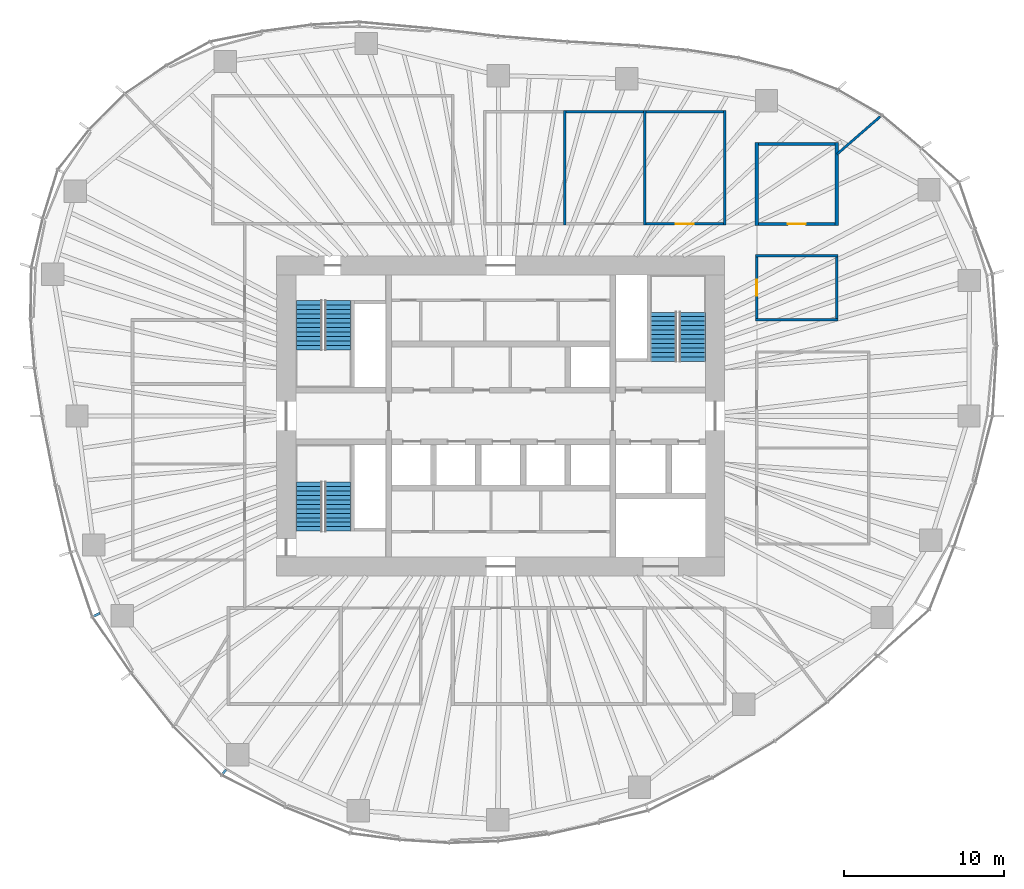
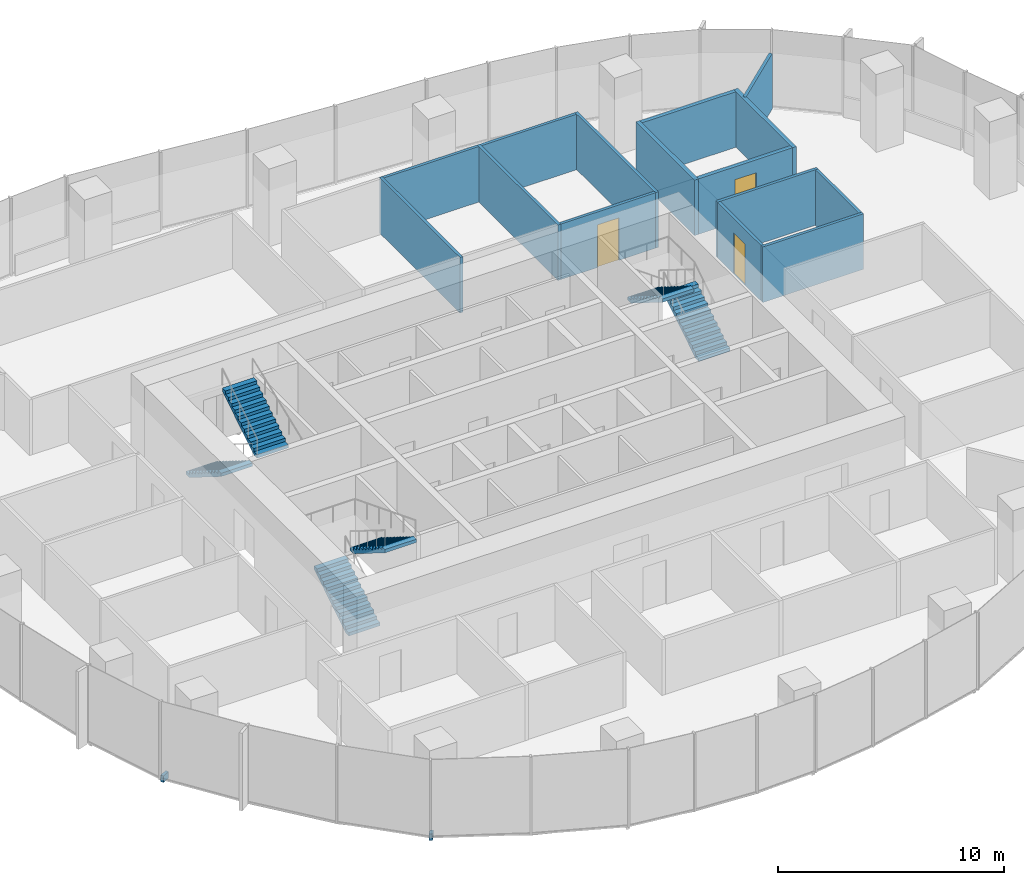
# One storey, part 11 of 18: 15 walls, 6 stair flights, 3 doors, 2 discrete accessories, 3 openings, 3 elements without a shape of their own.
"""IFC4 building model written with IfcOpenShell, lengths in metres."""

from ifc_helpers import new_model, si_unit, direction, frame, frame_2d, origin, origin_2d, place, context, subcontext, project, spatial, polyline, rectangle, outline, extrude, material, layer, layer_set, type_object, element, fill, aggregate, save


model = new_model("IFC4")

# Units and contexts
model_context = context("Model", 3, precision=1e-05, world=origin(), true_north=direction((0.0, 1.0)))
body_context = subcontext(model_context, "Body", "Model", "MODEL_VIEW")
ifc_project = project(units=[si_unit("LENGTHUNIT", "METRE"), si_unit("AREAUNIT", "SQUARE_METRE"), si_unit("VOLUMEUNIT", "CUBIC_METRE"), si_unit("PLANEANGLEUNIT", "RADIAN"), si_unit("MASSUNIT", "GRAM", prefix="KILO")], contexts=[model_context])

# Site, building, storey
site_placement = place(None, origin())
site = spatial("IfcSite", under=ifc_project, at=site_placement, CompositionType="ELEMENT")
building_placement = place(site_placement, origin())
building = spatial("IfcBuilding", under=site, at=building_placement, Name="Ghaith Harvest Tower", CompositionType="ELEMENT")
storey_placement = place(building_placement, frame((0.0, 0.0, 151.199951171875)))
storey = spatial("IfcBuildingStorey", under=building, at=storey_placement, Name="L32", CompositionType="ELEMENT", Elevation=151.199951171875)

# Walls
ifc_material_1 = material(Name="Twin-stud gypsum board, acoustic", Category="gypsum")
ifc_layer_1 = layer(ifc_material_1, 0.199951171875)
ifc_layer_set_1 = layer_set([ifc_layer_1], Name="ACOUSTIC PARTITION 200")
wall_type_1 = type_object("IfcWallType", Name="ACOUSTIC PARTITION 200", PredefinedType="PARTITIONING", material=ifc_layer_set_1)
for number, where, z_axis, x_axis, name in (
    (1, (16.0, 11.89990234375, 0.0), (0.0, 0.0, 1.0), (0.0, 1.0, 0.0), "Partition L32 row N7 cross wall 1"),
    (2, (21.0, 11.89990234375, 0.0), (0.0, 0.0, 1.0), (0.0, 1.0, 0.0), "Partition L32 row N7 cross wall 2"),
):
    element("IfcWall", number, at=place(storey_placement, frame(where, z_axis=z_axis, x_axis=x_axis)), inside=storey, type_object=wall_type_1, Name=name, PredefinedType="PARTITIONING", context=body_context, shape_type="SweptSolid", body=[
        extrude(rectangle(XDim=5.2001953125, YDim=0.199951171875, at=frame_2d((2.60009765625, 0.0))), origin(), (0.0, 0.0, 1.0), 3.0),
    ])

# Wall, opening, door
wall_1_placement = place(storey_placement, frame((16.10009765625, 12.0, 0.0), z_axis=(0.0, 0.0, 1.0), x_axis=(1.0, 0.0, 0.0)))
wall_1 = element("IfcWall", 3, at=wall_1_placement, inside=storey, type_object=wall_type_1, Name="Partition L32-15", PredefinedType="PARTITIONING", context=body_context, shape_type="SweptSolid", body=[
    extrude(rectangle(XDim=4.7998046875, YDim=0.199951171875, at=frame_2d((2.39990234375, 0.0))), origin(), (0.0, 0.0, 1.0), 3.0),
])
opening_1_placement = place(wall_1_placement, frame((1.85009765625, 0.0, 0.0)))
opening_1 = element("IfcOpeningElement", 4, at=opening_1_placement, cuts=wall_1, Name="Opening 32-042", PredefinedType="OPENING", context=body_context, shape_type="SweptSolid", body=[
    extrude(rectangle(XDim=1.10009765625, YDim=2.300048828125, at=frame_2d((0.550048828125, 1.14990234375))), frame((0.0, 0.10986328125, 0.0), z_axis=(0.0, -1.0, 0.0), x_axis=(1.0, 0.0, 0.0)), (0.0, 0.0, 1.0), 0.219970703125),
])
ifc_material_2 = material(Name="Timber-framed glazed door", Category="wood")
door_type_1 = type_object("IfcDoorType", Name="D12 GLAZED OFFICE 1100x2300", OperationType="SINGLE_SWING_LEFT", PredefinedType="DOOR", material=ifc_material_2)
door_1_placement = place(opening_1_placement, origin())
door_1 = element("IfcDoor", 5, at=door_1_placement, inside=storey, type_object=door_type_1, Name="Focus room door", OperationType="SINGLE_SWING_LEFT", OverallHeight=2.300048828125, OverallWidth=1.10009765625, PredefinedType="DOOR", context=body_context, shape_type="SweptSolid", body=[
    extrude(rectangle(XDim=1.10009765625, YDim=2.300048828125, at=frame_2d((0.550048828125, 1.14990234375))), frame((0.0, 0.02490234375, 0.0), z_axis=(0.0, -1.0, 0.0), x_axis=(1.0, 0.0, 0.0)), (0.0, 0.0, 1.0), 0.050048828125),
])
fill(opening_1, door_1)

# Walls
wall_2_placement = place(storey_placement, frame((16.10009765625, 17.0, 0.0), z_axis=(0.0, 0.0, 1.0), x_axis=(1.0, 0.0, 0.0)))
element("IfcWall", 6, at=wall_2_placement, inside=storey, type_object=wall_type_1, Name="Partition L32-15", PredefinedType="PARTITIONING", context=body_context, shape_type="SweptSolid", body=[
    extrude(rectangle(XDim=4.7998046875, YDim=0.199951171875, at=frame_2d((2.39990234375, 0.0))), origin(), (0.0, 0.0, 1.0), 3.0),
])
ifc_material_3 = material(Name="Gypsum board on steel studs", Category="steel")
ifc_layer_2 = layer(ifc_material_3, 0.14990234375)
ifc_layer_set_2 = layer_set([ifc_layer_2], Name="PARTITION 150")
wall_type_2 = type_object("IfcWallType", Name="PARTITION 150", PredefinedType="PARTITIONING", material=ifc_layer_set_2)
for number, where, z_axis, x_axis, name in (
    (7, (4.0, 11.925048828125, 0.0), (0.0, 0.0, 1.0), (0.0, 1.0, 0.0), "Partition L32 row N2 cross wall 2"),
    (8, (9.0, 11.925048828125, 0.0), (0.0, 0.0, 1.0), (0.0, 1.0, 0.0), "Partition L32 row N2 cross wall 3"),
    (9, (14.0, 11.925048828125, 0.0), (0.0, 0.0, 1.0), (0.0, 1.0, 0.0), "Partition L32 row N2 cross wall 4"),
):
    element("IfcWall", number, at=place(storey_placement, frame(where, z_axis=z_axis, x_axis=x_axis)), inside=storey, type_object=wall_type_2, Name=name, PredefinedType="PARTITIONING", context=body_context, shape_type="SweptSolid", body=[
        extrude(rectangle(XDim=7.14990234375, YDim=0.14990234375, at=frame_2d((3.574951171875, 0.0))), origin(), (0.0, 0.0, 1.0), 3.0),
    ])
wall_3_placement = place(storey_placement, frame((4.074951171875, 19.0, 0.0), z_axis=(0.0, 0.0, 1.0), x_axis=(1.0, 0.0, 0.0)))
element("IfcWall", 10, at=wall_3_placement, inside=storey, type_object=wall_type_2, Name="Partition L32-03", PredefinedType="PARTITIONING", context=body_context, shape_type="SweptSolid", body=[
    extrude(rectangle(XDim=4.85009765625, YDim=0.14990234375, at=frame_2d((2.425048828125, 0.0))), origin(), (0.0, 0.0, 1.0), 3.0),
])

# Wall, opening, door
wall_4_placement = place(storey_placement, frame((9.074951171875, 12.0, 0.0), z_axis=(0.0, 0.0, 1.0), x_axis=(1.0, 0.0, 0.0)))
wall_4 = element("IfcWall", 11, at=wall_4_placement, inside=storey, type_object=wall_type_2, Name="Partition L32-04", PredefinedType="PARTITIONING", context=body_context, shape_type="SweptSolid", body=[
    extrude(rectangle(XDim=4.85009765625, YDim=0.14990234375, at=frame_2d((2.425048828125, 0.0))), origin(), (0.0, 0.0, 1.0), 3.0),
])
opening_2_placement = place(wall_4_placement, frame((1.875, 0.0, 0.0)))
opening_2 = element("IfcOpeningElement", 12, at=opening_2_placement, cuts=wall_4, Name="Opening 32-031", PredefinedType="OPENING", context=body_context, shape_type="SweptSolid", body=[
    extrude(rectangle(XDim=1.10009765625, YDim=2.300048828125, at=frame_2d((0.550048828125, 1.14990234375))), frame((0.0, 0.0849609375, 0.0), z_axis=(0.0, -1.0, 0.0), x_axis=(1.0, 0.0, 0.0)), (0.0, 0.0, 1.0), 0.169921875),
])
door_2_placement = place(opening_2_placement, origin())
door_2 = element("IfcDoor", 13, at=door_2_placement, inside=storey, type_object=door_type_1, Name="Office door", OperationType="SINGLE_SWING_LEFT", OverallHeight=2.300048828125, OverallWidth=1.10009765625, PredefinedType="DOOR", context=body_context, shape_type="SweptSolid", body=[
    extrude(rectangle(XDim=1.10009765625, YDim=2.300048828125, at=frame_2d((0.550048828125, 1.14990234375))), frame((0.0, 0.02490234375, 0.0), z_axis=(0.0, -1.0, 0.0), x_axis=(1.0, 0.0, 0.0)), (0.0, 0.0, 1.0), 0.050048828125),
])
fill(opening_2, door_2)

# Walls
wall_5_placement = place(storey_placement, frame((9.074951171875, 19.0, 0.0), z_axis=(0.0, 0.0, 1.0), x_axis=(1.0, 0.0, 0.0)))
element("IfcWall", 14, at=wall_5_placement, inside=storey, type_object=wall_type_2, Name="Partition L32-04", PredefinedType="PARTITIONING", context=body_context, shape_type="SweptSolid", body=[
    extrude(rectangle(XDim=4.85009765625, YDim=0.14990234375, at=frame_2d((2.425048828125, 0.0))), origin(), (0.0, 0.0, 1.0), 3.0),
])
for number, where, z_axis, x_axis, name in (
    (15, (15.925048828125, 6.0, 0.0), (0.0, 0.0, 1.0), (1.0, 0.0, 0.0), "Partition L32 row E8 cross wall 1"),
    (16, (15.925048828125, 10.0, 0.0), (0.0, 0.0, 1.0), (1.0, 0.0, 0.0), "Partition L32 row E8 cross wall 2"),
):
    element("IfcWall", number, at=place(storey_placement, frame(where, z_axis=z_axis, x_axis=x_axis)), inside=storey, type_object=wall_type_2, Name=name, PredefinedType="PARTITIONING", context=body_context, shape_type="SweptSolid", body=[
        extrude(rectangle(XDim=5.14990234375, YDim=0.14990234375, at=frame_2d((2.574951171875, 0.0))), origin(), (0.0, 0.0, 1.0), 3.0),
    ])

# Wall, opening, door
wall_6_placement = place(storey_placement, frame((16.0, 6.074951171875, 0.0), z_axis=(0.0, 0.0, 1.0), x_axis=(0.0, 1.0, 0.0)))
wall_6 = element("IfcWall", 17, at=wall_6_placement, inside=storey, type_object=wall_type_2, Name="Partition L32-16", PredefinedType="PARTITIONING", context=body_context, shape_type="SweptSolid", body=[
    extrude(rectangle(XDim=3.85009765625, YDim=0.14990234375, at=frame_2d((1.925048828125, 0.0))), origin(), (0.0, 0.0, 1.0), 3.0),
])
opening_3_placement = place(wall_6_placement, frame((1.425048828125, 0.0, 0.0)))
opening_3 = element("IfcOpeningElement", 18, at=opening_3_placement, cuts=wall_6, Name="Opening 32-043", PredefinedType="OPENING", context=body_context, shape_type="SweptSolid", body=[
    extrude(rectangle(XDim=1.0, YDim=2.199951171875, at=frame_2d((0.5, 1.10009765625))), frame((0.0, 0.0849609375, 0.0), z_axis=(0.0, -1.0, 0.0), x_axis=(1.0, 0.0, 0.0)), (0.0, 0.0, 1.0), 0.169921875),
])
ifc_material_4 = material(Name="Timber door", Category="wood")
door_type_2 = type_object("IfcDoorType", Name="D1 SINGLE 1000x2200", OperationType="SINGLE_SWING_LEFT", PredefinedType="DOOR", material=ifc_material_4)
door_3_placement = place(opening_3_placement, origin())
door_3 = element("IfcDoor", 19, at=door_3_placement, inside=storey, type_object=door_type_2, Name="Store door", OperationType="SINGLE_SWING_LEFT", OverallHeight=2.199951171875, OverallWidth=1.0, PredefinedType="DOOR", context=body_context, shape_type="SweptSolid", body=[
    extrude(rectangle(XDim=1.0, YDim=2.199951171875, at=frame_2d((0.5, 1.10009765625))), frame((0.0, 0.02490234375, 0.0), z_axis=(0.0, -1.0, 0.0), x_axis=(1.0, 0.0, 0.0)), (0.0, 0.0, 1.0), 0.050048828125),
])
fill(opening_3, door_3)

# Walls
wall_7_placement = place(storey_placement, frame((21.0, 6.074951171875, 0.0), z_axis=(0.0, 0.0, 1.0), x_axis=(0.0, 1.0, 0.0)))
element("IfcWall", 20, at=wall_7_placement, inside=storey, type_object=wall_type_2, Name="Partition L32-16", PredefinedType="PARTITIONING", context=body_context, shape_type="SweptSolid", body=[
    extrude(rectangle(XDim=3.85009765625, YDim=0.14990234375, at=frame_2d((1.925048828125, 0.0))), origin(), (0.0, 0.0, 1.0), 3.0),
])
wall_8_placement = place(storey_placement, frame((21.02001953125, 16.364013671875, 0.0), z_axis=(0.0, 0.0, 1.0), x_axis=(0.75467183248, 0.656102450278, 0.0)))
element("IfcWall", 21, at=wall_8_placement, inside=storey, type_object=wall_type_2, Name="Partition L32 zone division", PredefinedType="PARTITIONING", context=body_context, shape_type="SweptSolid", body=[
    extrude(rectangle(XDim=3.566650390625, YDim=0.14990234375, at=frame_2d((1.783203125, 0.0))), origin(), (0.0, 0.0, 1.0), 3.0),
])

# Stair, stair flights
ifc_material_5 = material(Name="Concrete C40/50, precast", Category="concrete")
stair_type = type_object("IfcStairType", Name="CORE STAIR 24R", PredefinedType="HALF_TURN_STAIR", material=ifc_material_5)
stair_1_placement = place(storey_placement, origin())
stair_1 = element("IfcStair", 22, at=stair_1_placement, inside=storey, type_object=stair_type, Name="Stair ST1 L32", PredefinedType="HALF_TURN_STAIR")
ifc_material_6 = material(Name="Concrete C40/50, precast", Category="concrete")
stair_flight_type = type_object("IfcStairFlightType", Name="CORE FLIGHT 12R 1600", PredefinedType="STRAIGHT", material=ifc_material_6)
stair_flight_1_placement = place(storey_placement, frame((-12.0, 7.199951171875, 0.0), z_axis=(0.0, 0.0, 1.0), x_axis=(0.0, -1.0, 0.0)))
stair_flight_1 = element("IfcStairFlight", 23, at=stair_flight_1_placement, type_object=stair_flight_type, Name="ST1 flight 1", NumberOfRisers=12, NumberOfTreads=11, PredefinedType="STRAIGHT", RiserHeight=0.175, TreadLength=0.28, context=body_context, shape_type="SweptSolid", body=[
    extrude(outline(polyline([(0.0, 0.0), (0.0, 0.175048828125), (0.280029296875, 0.175048828125), (0.280029296875, 0.35009765625), (0.56005859375, 0.35009765625), (0.56005859375, 0.52490234375), (0.840087890625, 0.52490234375), (0.840087890625, 0.699951171875), (1.1201171875, 0.699951171875), (1.1201171875, 0.875), (1.39990234375, 0.875), (1.39990234375, 1.050048828125), (1.679931640625, 1.050048828125), (1.679931640625, 1.22509765625), (1.9599609375, 1.22509765625), (1.9599609375, 1.39990234375), (2.239990234375, 1.39990234375), (2.239990234375, 1.574951171875), (2.52001953125, 1.574951171875), (2.52001953125, 1.75), (2.800048828125, 1.75), (2.800048828125, 1.925048828125), (3.080078125, 1.925048828125), (3.080078125, 2.10009765625), (3.080078125, 1.748291015625), (0.28271484375, 0.0), (0.0, 0.0)])), frame((0.0, 0.800048828125, 0.0), z_axis=(0.0, -1.0, 0.0), x_axis=(1.0, 0.0, 0.0)), (0.0, 0.0, 1.0), 1.60009765625),
])
stair_flight_2_placement = place(storey_placement, frame((-10.14990234375, 4.1201171875, 2.10009765625), z_axis=(0.0, 0.0, 1.0), x_axis=(0.0, 1.0, 0.0)))
stair_flight_2 = element("IfcStairFlight", 24, at=stair_flight_2_placement, type_object=stair_flight_type, Name="ST1 flight 2", NumberOfRisers=12, NumberOfTreads=11, PredefinedType="STRAIGHT", RiserHeight=0.175, TreadLength=0.28, context=body_context, shape_type="SweptSolid", body=[
    extrude(outline(polyline([(0.0, 0.0), (0.0, 0.175048828125), (0.280029296875, 0.175048828125), (0.280029296875, 0.35009765625), (0.56005859375, 0.35009765625), (0.56005859375, 0.52490234375), (0.840087890625, 0.52490234375), (0.840087890625, 0.699951171875), (1.1201171875, 0.699951171875), (1.1201171875, 0.875), (1.39990234375, 0.875), (1.39990234375, 1.050048828125), (1.679931640625, 1.050048828125), (1.679931640625, 1.22509765625), (1.9599609375, 1.22509765625), (1.9599609375, 1.39990234375), (2.239990234375, 1.39990234375), (2.239990234375, 1.574951171875), (2.52001953125, 1.574951171875), (2.52001953125, 1.75), (2.800048828125, 1.75), (2.800048828125, 1.925048828125), (3.080078125, 1.925048828125), (3.080078125, 2.10009765625), (3.080078125, 1.748291015625), (0.28271484375, 0.0), (0.0, 0.0)])), frame((0.0, 0.800048828125, 0.0), z_axis=(0.0, -1.0, 0.0), x_axis=(1.0, 0.0, 0.0)), (0.0, 0.0, 1.0), 1.60009765625),
])
aggregate(stair_1, [stair_flight_1, stair_flight_2])

stair_2_placement = place(storey_placement, origin())
stair_2 = element("IfcStair", 25, at=stair_2_placement, inside=storey, type_object=stair_type, Name="Stair ST3 L32", PredefinedType="HALF_TURN_STAIR")
stair_flight_3_placement = place(storey_placement, frame((-12.0, -7.199951171875, 0.0), z_axis=(0.0, 0.0, 1.0), x_axis=(0.0, 1.0, 0.0)))
stair_flight_3 = element("IfcStairFlight", 26, at=stair_flight_3_placement, type_object=stair_flight_type, Name="ST3 flight 1", NumberOfRisers=12, NumberOfTreads=11, PredefinedType="STRAIGHT", RiserHeight=0.175, TreadLength=0.28, context=body_context, shape_type="SweptSolid", body=[
    extrude(outline(polyline([(0.0, 0.0), (0.0, 0.175048828125), (0.280029296875, 0.175048828125), (0.280029296875, 0.35009765625), (0.56005859375, 0.35009765625), (0.56005859375, 0.52490234375), (0.840087890625, 0.52490234375), (0.840087890625, 0.699951171875), (1.1201171875, 0.699951171875), (1.1201171875, 0.875), (1.39990234375, 0.875), (1.39990234375, 1.050048828125), (1.679931640625, 1.050048828125), (1.679931640625, 1.22509765625), (1.9599609375, 1.22509765625), (1.9599609375, 1.39990234375), (2.239990234375, 1.39990234375), (2.239990234375, 1.574951171875), (2.52001953125, 1.574951171875), (2.52001953125, 1.75), (2.800048828125, 1.75), (2.800048828125, 1.925048828125), (3.080078125, 1.925048828125), (3.080078125, 2.10009765625), (3.080078125, 1.748291015625), (0.28271484375, 0.0), (0.0, 0.0)])), frame((0.0, 0.800048828125, 0.0), z_axis=(0.0, -1.0, 0.0), x_axis=(1.0, 0.0, 0.0)), (0.0, 0.0, 1.0), 1.60009765625),
])
stair_flight_4_placement = place(storey_placement, frame((-10.14990234375, -4.1201171875, 2.10009765625), z_axis=(0.0, 0.0, 1.0), x_axis=(0.0, -1.0, 0.0)))
stair_flight_4 = element("IfcStairFlight", 27, at=stair_flight_4_placement, type_object=stair_flight_type, Name="ST3 flight 2", NumberOfRisers=12, NumberOfTreads=11, PredefinedType="STRAIGHT", RiserHeight=0.175, TreadLength=0.28, context=body_context, shape_type="SweptSolid", body=[
    extrude(outline(polyline([(0.0, 0.0), (0.0, 0.175048828125), (0.280029296875, 0.175048828125), (0.280029296875, 0.35009765625), (0.56005859375, 0.35009765625), (0.56005859375, 0.52490234375), (0.840087890625, 0.52490234375), (0.840087890625, 0.699951171875), (1.1201171875, 0.699951171875), (1.1201171875, 0.875), (1.39990234375, 0.875), (1.39990234375, 1.050048828125), (1.679931640625, 1.050048828125), (1.679931640625, 1.22509765625), (1.9599609375, 1.22509765625), (1.9599609375, 1.39990234375), (2.239990234375, 1.39990234375), (2.239990234375, 1.574951171875), (2.52001953125, 1.574951171875), (2.52001953125, 1.75), (2.800048828125, 1.75), (2.800048828125, 1.925048828125), (3.080078125, 1.925048828125), (3.080078125, 2.10009765625), (3.080078125, 1.748291015625), (0.28271484375, 0.0), (0.0, 0.0)])), frame((0.0, 0.800048828125, 0.0), z_axis=(0.0, -1.0, 0.0), x_axis=(1.0, 0.0, 0.0)), (0.0, 0.0, 1.0), 1.60009765625),
])
aggregate(stair_2, [stair_flight_3, stair_flight_4])

stair_3_placement = place(storey_placement, origin())
stair_3 = element("IfcStair", 28, at=stair_3_placement, inside=storey, type_object=stair_type, Name="Stair ST2 L32", PredefinedType="HALF_TURN_STAIR")
stair_flight_5_placement = place(storey_placement, frame((12.0, 3.39990234375, 0.0), z_axis=(0.0, 0.0, 1.0), x_axis=(0.0, 1.0, 0.0)))
stair_flight_5 = element("IfcStairFlight", 29, at=stair_flight_5_placement, type_object=stair_flight_type, Name="ST2 flight 1", NumberOfRisers=12, NumberOfTreads=11, PredefinedType="STRAIGHT", RiserHeight=0.175, TreadLength=0.28, context=body_context, shape_type="SweptSolid", body=[
    extrude(outline(polyline([(0.0, 0.0), (0.0, 0.175048828125), (0.280029296875, 0.175048828125), (0.280029296875, 0.35009765625), (0.56005859375, 0.35009765625), (0.56005859375, 0.52490234375), (0.840087890625, 0.52490234375), (0.840087890625, 0.699951171875), (1.1201171875, 0.699951171875), (1.1201171875, 0.875), (1.39990234375, 0.875), (1.39990234375, 1.050048828125), (1.679931640625, 1.050048828125), (1.679931640625, 1.22509765625), (1.9599609375, 1.22509765625), (1.9599609375, 1.39990234375), (2.239990234375, 1.39990234375), (2.239990234375, 1.574951171875), (2.52001953125, 1.574951171875), (2.52001953125, 1.75), (2.800048828125, 1.75), (2.800048828125, 1.925048828125), (3.080078125, 1.925048828125), (3.080078125, 2.10009765625), (3.080078125, 1.748291015625), (0.28271484375, 0.0), (0.0, 0.0)])), frame((0.0, 0.800048828125, 0.0), z_axis=(0.0, -1.0, 0.0), x_axis=(1.0, 0.0, 0.0)), (0.0, 0.0, 1.0), 1.60009765625),
])
stair_flight_6_placement = place(storey_placement, frame((10.14990234375, 6.47998046875, 2.10009765625), z_axis=(0.0, 0.0, 1.0), x_axis=(0.0, -1.0, 0.0)))
stair_flight_6 = element("IfcStairFlight", 30, at=stair_flight_6_placement, type_object=stair_flight_type, Name="ST2 flight 2", NumberOfRisers=12, NumberOfTreads=11, PredefinedType="STRAIGHT", RiserHeight=0.175, TreadLength=0.28, context=body_context, shape_type="SweptSolid", body=[
    extrude(outline(polyline([(0.0, 0.0), (0.0, 0.175048828125), (0.280029296875, 0.175048828125), (0.280029296875, 0.35009765625), (0.56005859375, 0.35009765625), (0.56005859375, 0.52490234375), (0.840087890625, 0.52490234375), (0.840087890625, 0.699951171875), (1.1201171875, 0.699951171875), (1.1201171875, 0.875), (1.39990234375, 0.875), (1.39990234375, 1.050048828125), (1.679931640625, 1.050048828125), (1.679931640625, 1.22509765625), (1.9599609375, 1.22509765625), (1.9599609375, 1.39990234375), (2.239990234375, 1.39990234375), (2.239990234375, 1.574951171875), (2.52001953125, 1.574951171875), (2.52001953125, 1.75), (2.800048828125, 1.75), (2.800048828125, 1.925048828125), (3.080078125, 1.925048828125), (3.080078125, 2.10009765625), (3.080078125, 1.748291015625), (0.28271484375, 0.0), (0.0, 0.0)])), frame((0.0, 0.800048828125, 0.0), z_axis=(0.0, -1.0, 0.0), x_axis=(1.0, 0.0, 0.0)), (0.0, 0.0, 1.0), 1.60009765625),
])
aggregate(stair_3, [stair_flight_5, stair_flight_6])

# Discrete accessories
ifc_material_7 = material(Name="Stainless steel grade 1.4401", Category="steel")
discrete_accessory_type_1 = type_object("IfcDiscreteAccessoryType", Name="CURTAIN WALL BRACKET 315", PredefinedType="BRACKET", material=ifc_material_7)
discrete_accessory_1_placement = place(storey_placement, frame((-17.266357421875, -22.232421875, -0.25), z_axis=(0.0, 0.0, 1.0), x_axis=(-0.613377713774, -0.789789706343, 0.0)))
element("IfcDiscreteAccessory", 31, at=discrete_accessory_1_placement, inside=storey, type_object=discrete_accessory_type_1, Name="CW-L bracket 1 bay 14 L32", PredefinedType="BRACKET", context=body_context, shape_type="SweptSolid", body=[
    extrude(rectangle(XDim=0.31494140625, YDim=0.14990234375, at=origin_2d()), origin(), (0.0, 0.0, 1.0), 0.35009765625),
])
ifc_material_8 = material(Name="Stainless steel grade 1.4401", Category="steel")
discrete_accessory_type_2 = type_object("IfcDiscreteAccessoryType", Name="CURTAIN WALL BRACKET 415", PredefinedType="BRACKET", material=ifc_material_8)
discrete_accessory_2_placement = place(storey_placement, frame((-25.228515625, -12.41796875, -0.25), z_axis=(0.0, 0.0, 1.0), x_axis=(-0.897201221415, -0.441621974421, 0.0)))
element("IfcDiscreteAccessory", 32, at=discrete_accessory_2_placement, inside=storey, type_object=discrete_accessory_type_2, Name="CW-L bracket 2 bay 12 L32", PredefinedType="BRACKET", context=body_context, shape_type="SweptSolid", body=[
    extrude(rectangle(XDim=0.4150390625, YDim=0.14990234375, at=origin_2d()), origin(), (0.0, 0.0, 1.0), 0.35009765625),
])

save(model, "model.ifc")
